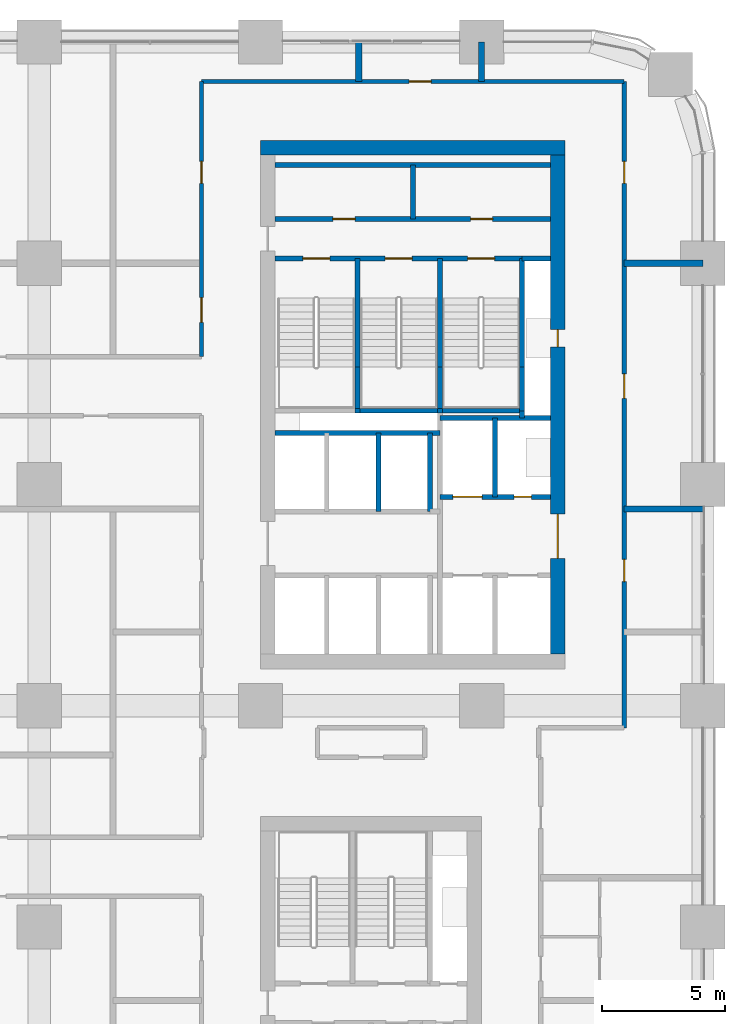
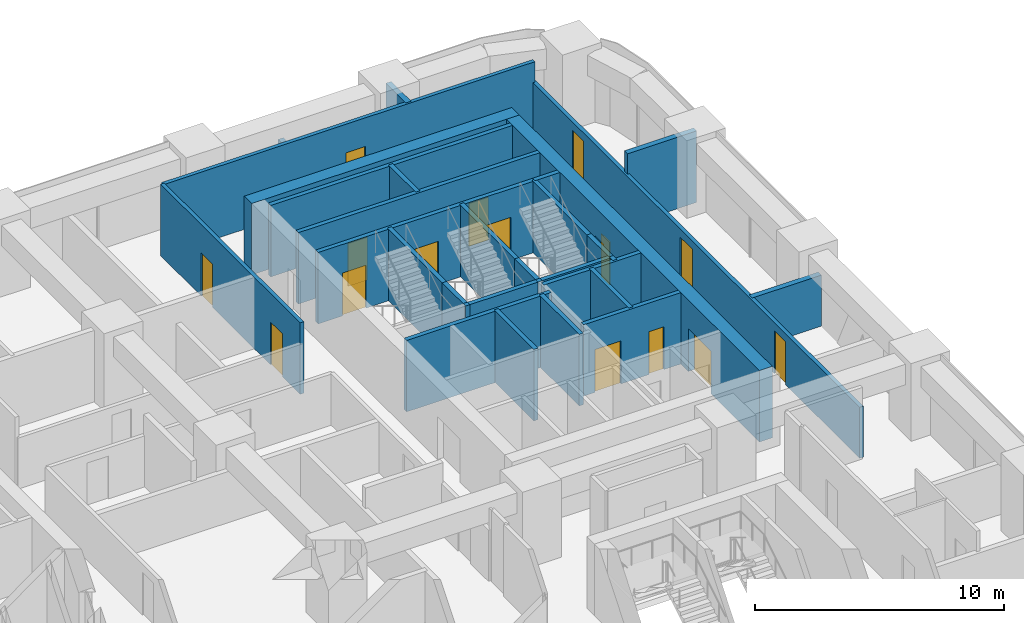
# One storey, part 18 of 21: 31 walls, 15 doors, 15 openings.
"""IFC4 building model written with IfcOpenShell, lengths in metres."""

from ifc_helpers import new_model, si_unit, direction, frame, frame_2d, origin, place, context, subcontext, project, spatial, rectangle, extrude, material, layer, layer_set, type_object, element, fill, save


model = new_model("IFC4")

# Units and contexts
model_context = context("Model", 3, precision=1e-05, world=origin(), true_north=direction((0.0, 1.0)))
body_context = subcontext(model_context, "Body", "Model", "MODEL_VIEW")
ifc_project = project(units=[si_unit("LENGTHUNIT", "METRE"), si_unit("AREAUNIT", "SQUARE_METRE"), si_unit("VOLUMEUNIT", "CUBIC_METRE"), si_unit("PLANEANGLEUNIT", "RADIAN"), si_unit("MASSUNIT", "GRAM", prefix="KILO")], contexts=[model_context])

# Site, building, storey
site_placement = place(None, origin())
site = spatial("IfcSite", under=ifc_project, at=site_placement, CompositionType="ELEMENT")
building_placement = place(site_placement, origin())
building = spatial("IfcBuilding", under=site, at=building_placement, Name="Tessera Arch", CompositionType="ELEMENT")
storey_placement = place(building_placement, frame((0.0, 0.0, 50.0)))
storey = spatial("IfcBuildingStorey", under=building, at=storey_placement, Name="L10", CompositionType="ELEMENT", Elevation=50.0)

# Wall
ifc_material_1 = material(Name="Gypsum board on steel stud", Category="steel")
ifc_layer_1 = layer(ifc_material_1, 0.125)
ifc_layer_set_1 = layer_set([ifc_layer_1], Name="Core partition 125 EI 60")
wall_type_1 = type_object("IfcWallType", Name="Core partition 125 EI 60", PredefinedType="PARTITIONING", material=ifc_layer_set_1)
wall_1_placement = place(storey_placement, frame((42.199951171875, 46.800048828125, 0.0), z_axis=(0.0, 0.0, 1.0), x_axis=(0.0, 1.0, 0.0)))
element("IfcWall", 1, at=wall_1_placement, inside=storey, type_object=wall_type_1, Name="L10 C1 partition wall 7", PredefinedType="PARTITIONING", context=body_context, shape_type="SweptSolid", body=[
    extrude(rectangle(XDim=2.199951171875, YDim=0.199951171875, at=frame_2d((1.10009765625, 0.0))), origin(), (0.0, 0.0, 1.0), 3.5),
])

# Wall, openings, doors
wall_2_placement = place(storey_placement, frame((36.60009765625, 46.800048828125, 0.0), z_axis=(0.0, 0.0, 1.0), x_axis=(1.0, 0.0, 0.0)))
wall_2 = element("IfcWall", 2, at=wall_2_placement, inside=storey, type_object=wall_type_1, Name="L10 C1 partition wall 31", PredefinedType="PARTITIONING", context=body_context, shape_type="SweptSolid", body=[
    extrude(rectangle(XDim=11.199951171875, YDim=0.199951171875, at=frame_2d((5.60009765625, 0.0))), origin(), (0.0, 0.0, 1.0), 3.5),
])
opening_1_placement = place(wall_2_placement, frame((2.35009765625, 0.0, 0.0)))
opening_1 = element("IfcOpeningElement", 3, at=opening_1_placement, cuts=wall_2, Name="Opening L10-C12", PredefinedType="OPENING", context=body_context, shape_type="SweptSolid", body=[
    extrude(rectangle(XDim=0.89990234375, YDim=2.10009765625, at=frame_2d((0.449951171875, 1.050048828125))), frame((0.0, 0.10986328125, 0.0), z_axis=(0.0, -1.0, 0.0), x_axis=(1.0, 0.0, 0.0)), (0.0, 0.0, 1.0), 0.219970703125),
])
opening_2_placement = place(wall_2_placement, frame((7.949951171875, 0.0, 0.0)))
opening_2 = element("IfcOpeningElement", 4, at=opening_2_placement, cuts=wall_2, Name="Opening L10-C13", PredefinedType="OPENING", context=body_context, shape_type="SweptSolid", body=[
    extrude(rectangle(XDim=0.89990234375, YDim=2.10009765625, at=frame_2d((0.449951171875, 1.050048828125))), frame((0.0, 0.10986328125, 0.0), z_axis=(0.0, -1.0, 0.0), x_axis=(1.0, 0.0, 0.0)), (0.0, 0.0, 1.0), 0.219970703125),
])
ifc_material_2 = material(Name="Steel door leaf", Category="steel")
door_type_1 = type_object("IfcDoorType", Name="Store door FD30S 900 x 2100", OperationType="SINGLE_SWING_LEFT", PredefinedType="DOOR", material=ifc_material_2)
door_1_placement = place(opening_1_placement, origin())
door_1 = element("IfcDoor", 5, at=door_1_placement, inside=storey, type_object=door_type_1, Name="L10 C1 door 12 C12 type D09", OperationType="SINGLE_SWING_LEFT", OverallHeight=2.10009765625, OverallWidth=0.89990234375, PredefinedType="DOOR", context=body_context, shape_type="SweptSolid", body=[
    extrude(rectangle(XDim=0.89990234375, YDim=2.10009765625, at=frame_2d((0.449951171875, 1.050048828125))), frame((0.0, 0.02490234375, 0.0), z_axis=(0.0, -1.0, 0.0), x_axis=(1.0, 0.0, 0.0)), (0.0, 0.0, 1.0), 0.050048828125),
])
fill(opening_1, door_1)
door_2_placement = place(opening_2_placement, origin())
door_2 = element("IfcDoor", 6, at=door_2_placement, inside=storey, type_object=door_type_1, Name="L10 C1 door 13 C13 type D09", OperationType="SINGLE_SWING_RIGHT", OverallHeight=2.10009765625, OverallWidth=0.89990234375, PredefinedType="DOOR", context=body_context, shape_type="SweptSolid", body=[
    extrude(rectangle(XDim=0.89990234375, YDim=2.10009765625, at=frame_2d((0.449951171875, 1.050048828125))), frame((0.0, 0.02490234375, 0.0), z_axis=(0.0, -1.0, 0.0), x_axis=(1.0, 0.0, 0.0)), (0.0, 0.0, 1.0), 0.050048828125),
])
fill(opening_2, door_2)

# Walls
wall_3_placement = place(storey_placement, frame((36.60009765625, 49.0, 0.0), z_axis=(0.0, 0.0, 1.0), x_axis=(1.0, 0.0, 0.0)))
element("IfcWall", 7, at=wall_3_placement, inside=storey, type_object=wall_type_1, Name="L10 C1 partition wall 32", PredefinedType="PARTITIONING", context=body_context, shape_type="SweptSolid", body=[
    extrude(rectangle(XDim=11.199951171875, YDim=0.199951171875, at=frame_2d((5.60009765625, 0.0))), origin(), (0.0, 0.0, 1.0), 3.5),
])
ifc_material_3 = material(Name="Concrete C70/85", Category="concrete")
ifc_layer_2 = layer(ifc_material_3, 0.60009765625)
ifc_layer_set_2 = layer_set([ifc_layer_2], Name="Core shell wall 600 C70-85")
wall_type_2 = type_object("IfcWallType", Name="Core shell wall 600 C70-85", PredefinedType="SHEAR", material=ifc_layer_set_2)
wall_4_placement = place(storey_placement, frame((36.0, 49.699951171875, 0.0), z_axis=(0.0, 0.0, 1.0), x_axis=(1.0, 0.0, 0.0)))
element("IfcWall", 8, at=wall_4_placement, inside=storey, type_object=wall_type_2, Name="L10 C1 core wall N", PredefinedType="SHEAR", context=body_context, shape_type="SweptSolid", body=[
    extrude(rectangle(XDim=12.39990234375, YDim=0.60009765625, at=frame_2d((6.199951171875, 0.0))), origin(), (0.0, 0.0, 1.0), 3.5),
])

# Wall, openings, doors
wall_5_placement = place(storey_placement, frame((48.10009765625, 29.10009765625, 0.0), z_axis=(0.0, 0.0, 1.0), x_axis=(0.0, 1.0, 0.0)))
wall_5 = element("IfcWall", 9, at=wall_5_placement, inside=storey, type_object=wall_type_2, Name="L10 C1 core wall E", PredefinedType="SHEAR", context=body_context, shape_type="SweptSolid", body=[
    extrude(rectangle(XDim=20.2998046875, YDim=0.60009765625, at=frame_2d((10.14990234375, 0.0))), origin(), (0.0, 0.0, 1.0), 3.5),
])
opening_3_placement = place(wall_5_placement, frame((12.5, 0.0, 0.0)))
opening_3 = element("IfcOpeningElement", 10, at=opening_3_placement, cuts=wall_5, Name="Opening L10-C08", PredefinedType="OPENING", context=body_context, shape_type="SweptSolid", body=[
    extrude(rectangle(XDim=0.699951171875, YDim=2.10009765625, at=frame_2d((0.35009765625, 1.050048828125))), frame((0.0, 0.31005859375, 0.0), z_axis=(0.0, -1.0, 0.0), x_axis=(1.0, 0.0, 0.0)), (0.0, 0.0, 1.0), 0.6201171875),
])
opening_4_placement = place(wall_5_placement, frame((3.89990234375, 0.0, 0.0)))
opening_4 = element("IfcOpeningElement", 11, at=opening_4_placement, cuts=wall_5, Name="Opening L10-C09", PredefinedType="OPENING", context=body_context, shape_type="SweptSolid", body=[
    extrude(rectangle(XDim=1.800048828125, YDim=2.10009765625, at=frame_2d((0.89990234375, 1.050048828125))), frame((0.0, 0.31005859375, 0.0), z_axis=(0.0, -1.0, 0.0), x_axis=(1.0, 0.0, 0.0)), (0.0, 0.0, 1.0), 0.6201171875),
])
ifc_material_4 = material(Name="Glazed steel door leaf", Category="steel")
door_type_2 = type_object("IfcDoorType", Name="Lobby double door FD60 1800 x 2100", OperationType="DOUBLE_DOOR_SINGLE_SWING", PredefinedType="DOOR", material=ifc_material_4)
door_3_placement = place(opening_4_placement, origin())
door_3 = element("IfcDoor", 12, at=door_3_placement, inside=storey, type_object=door_type_2, Name="L10 C1 door 9 C09 type D19", OperationType="DOUBLE_DOOR_SINGLE_SWING", OverallHeight=2.10009765625, OverallWidth=1.800048828125, PredefinedType="DOOR", context=body_context, shape_type="SweptSolid", body=[
    extrude(rectangle(XDim=1.800048828125, YDim=2.10009765625, at=frame_2d((0.89990234375, 1.050048828125))), frame((0.0, 0.02490234375, 0.0), z_axis=(0.0, -1.0, 0.0), x_axis=(1.0, 0.0, 0.0)), (0.0, 0.0, 1.0), 0.050048828125),
])
fill(opening_4, door_3)
ifc_material_5 = material(Name="Steel door leaf", Category="steel")
door_type_3 = type_object("IfcDoorType", Name="Service shaft door FD60 700 x 2100", OperationType="SINGLE_SWING_LEFT", PredefinedType="DOOR", material=ifc_material_5)
door_4_placement = place(opening_3_placement, origin())
door_4 = element("IfcDoor", 13, at=door_4_placement, inside=storey, type_object=door_type_3, Name="L10 C1 door 8 C08 type D07", OperationType="SINGLE_SWING_RIGHT", OverallHeight=2.10009765625, OverallWidth=0.699951171875, PredefinedType="DOOR", context=body_context, shape_type="SweptSolid", body=[
    extrude(rectangle(XDim=0.699951171875, YDim=2.10009765625, at=frame_2d((0.35009765625, 1.050048828125))), frame((0.0, 0.02490234375, 0.0), z_axis=(0.0, -1.0, 0.0), x_axis=(1.0, 0.0, 0.0)), (0.0, 0.0, 1.0), 0.050048828125),
])
fill(opening_3, door_4)

# Wall, opening, door
ifc_material_6 = material(Name="Gypsum board on deep steel stud with mineral wool", Category="steel")
ifc_layer_3 = layer(ifc_material_6, 0.175048828125)
ifc_layer_set_3 = layer_set([ifc_layer_3], Name="Corridor wall 175 EI 60")
wall_type_3 = type_object("IfcWallType", Name="Corridor wall 175 EI 60", PredefinedType="PARTITIONING", material=ifc_layer_set_3)
wall_6_placement = place(storey_placement, frame((33.60009765625, 52.39990234375, 0.0), z_axis=(0.0, 0.0, 1.0), x_axis=(1.0, 0.0, 0.0)))
wall_6 = element("IfcWall", 14, at=wall_6_placement, inside=storey, type_object=wall_type_3, Name="L10 partition 20", PredefinedType="PARTITIONING", context=body_context, shape_type="SweptSolid", body=[
    extrude(rectangle(XDim=17.199951171875, YDim=0.175048828125, at=frame_2d((8.60009765625, 0.0))), origin(), (0.0, 0.0, 1.0), 3.5),
])
opening_5_placement = place(wall_6_placement, frame((8.449951171875, 0.0, 0.0)))
opening_5 = element("IfcOpeningElement", 15, at=opening_5_placement, cuts=wall_6, Name="Opening L10-D043", PredefinedType="OPENING", context=body_context, shape_type="SweptSolid", body=[
    extrude(rectangle(XDim=0.89990234375, YDim=2.10009765625, at=frame_2d((0.449951171875, 1.050048828125))), frame((0.0, 0.097412109375, 0.0), z_axis=(0.0, -1.0, 0.0), x_axis=(1.0, 0.0, 0.0)), (0.0, 0.0, 1.0), 0.195068359375),
])
ifc_material_7 = material(Name="Timber door leaf", Category="wood")
door_type_4 = type_object("IfcDoorType", Name="Room door 900 x 2100", OperationType="SINGLE_SWING_LEFT", PredefinedType="DOOR", material=ifc_material_7)
door_5_placement = place(opening_5_placement, origin())
door_5 = element("IfcDoor", 16, at=door_5_placement, inside=storey, type_object=door_type_4, Name="L10 door D043 type D01", OperationType="SINGLE_SWING_LEFT", OverallHeight=2.10009765625, OverallWidth=0.89990234375, PredefinedType="DOOR", context=body_context, shape_type="SweptSolid", body=[
    extrude(rectangle(XDim=0.89990234375, YDim=2.10009765625, at=frame_2d((0.449951171875, 1.050048828125))), frame((0.0, 0.02490234375, 0.0), z_axis=(0.0, -1.0, 0.0), x_axis=(1.0, 0.0, 0.0)), (0.0, 0.0, 1.0), 0.050048828125),
])
fill(opening_5, door_5)

# Wall, openings, doors
wall_7_placement = place(storey_placement, frame((33.60009765625, 41.199951171875, 0.0), z_axis=(0.0, 0.0, 1.0), x_axis=(0.0, 1.0, 0.0)))
wall_7 = element("IfcWall", 17, at=wall_7_placement, inside=storey, type_object=wall_type_3, Name="L10 partition 34", PredefinedType="PARTITIONING", context=body_context, shape_type="SweptSolid", body=[
    extrude(rectangle(XDim=11.199951171875, YDim=0.175048828125, at=frame_2d((5.60009765625, 0.0))), origin(), (0.0, 0.0, 1.0), 3.5),
])
opening_6_placement = place(wall_7_placement, frame((1.39990234375, 0.0, 0.0)))
opening_6 = element("IfcOpeningElement", 18, at=opening_6_placement, cuts=wall_7, Name="Opening L10-D034", PredefinedType="OPENING", context=body_context, shape_type="SweptSolid", body=[
    extrude(rectangle(XDim=1.0, YDim=2.10009765625, at=frame_2d((0.5, 1.050048828125))), frame((0.0, 0.097412109375, 0.0), z_axis=(0.0, -1.0, 0.0), x_axis=(1.0, 0.0, 0.0)), (0.0, 0.0, 1.0), 0.195068359375),
])
opening_7_placement = place(wall_7_placement, frame((7.050048828125, 0.0, 0.0)))
opening_7 = element("IfcOpeningElement", 19, at=opening_7_placement, cuts=wall_7, Name="Opening L10-D040", PredefinedType="OPENING", context=body_context, shape_type="SweptSolid", body=[
    extrude(rectangle(XDim=0.89990234375, YDim=2.10009765625, at=frame_2d((0.449951171875, 1.050048828125))), frame((0.0, 0.097412109375, 0.0), z_axis=(0.0, -1.0, 0.0), x_axis=(1.0, 0.0, 0.0)), (0.0, 0.0, 1.0), 0.195068359375),
])
ifc_material_8 = material(Name="Fire-rated door leaf")
door_type_5 = type_object("IfcDoorType", Name="Entrance door FD30S 1000 x 2100", OperationType="SINGLE_SWING_LEFT", PredefinedType="DOOR", material=ifc_material_8)
door_6_placement = place(opening_6_placement, origin())
door_6 = element("IfcDoor", 20, at=door_6_placement, inside=storey, type_object=door_type_5, Name="L10 door D034 type D03", OperationType="SINGLE_SWING_RIGHT", OverallHeight=2.10009765625, OverallWidth=1.0, PredefinedType="DOOR", context=body_context, shape_type="SweptSolid", body=[
    extrude(rectangle(XDim=1.0, YDim=2.10009765625, at=frame_2d((0.5, 1.050048828125))), frame((0.0, 0.02490234375, 0.0), z_axis=(0.0, -1.0, 0.0), x_axis=(1.0, 0.0, 0.0)), (0.0, 0.0, 1.0), 0.050048828125),
])
fill(opening_6, door_6)
door_7_placement = place(opening_7_placement, origin())
door_7 = element("IfcDoor", 21, at=door_7_placement, inside=storey, type_object=door_type_4, Name="L10 door D040 type D01", OperationType="SINGLE_SWING_RIGHT", OverallHeight=2.10009765625, OverallWidth=0.89990234375, PredefinedType="DOOR", context=body_context, shape_type="SweptSolid", body=[
    extrude(rectangle(XDim=0.89990234375, YDim=2.10009765625, at=frame_2d((0.449951171875, 1.050048828125))), frame((0.0, 0.02490234375, 0.0), z_axis=(0.0, -1.0, 0.0), x_axis=(1.0, 0.0, 0.0)), (0.0, 0.0, 1.0), 0.050048828125),
])
fill(opening_7, door_7)

wall_8_placement = place(storey_placement, frame((50.800048828125, 26.10009765625, 0.0), z_axis=(0.0, 0.0, 1.0), x_axis=(0.0, 1.0, 0.0)))
wall_8 = element("IfcWall", 22, at=wall_8_placement, inside=storey, type_object=wall_type_3, Name="L10 partition 40", PredefinedType="PARTITIONING", context=body_context, shape_type="SweptSolid", body=[
    extrude(rectangle(XDim=26.2998046875, YDim=0.175048828125, at=frame_2d((13.14990234375, 0.0))), origin(), (0.0, 0.0, 1.0), 2.5),
])
opening_8_placement = place(wall_8_placement, frame((5.949951171875, 0.0, 0.0)))
opening_8 = element("IfcOpeningElement", 23, at=opening_8_placement, cuts=wall_8, Name="Opening L10-D028", PredefinedType="OPENING", context=body_context, shape_type="SweptSolid", body=[
    extrude(rectangle(XDim=0.89990234375, YDim=2.10009765625, at=frame_2d((0.449951171875, 1.050048828125))), frame((0.0, 0.097412109375, 0.0), z_axis=(0.0, -1.0, 0.0), x_axis=(1.0, 0.0, 0.0)), (0.0, 0.0, 1.0), 0.195068359375),
])
opening_9_placement = place(wall_8_placement, frame((13.39990234375, 0.0, 0.0)))
opening_9 = element("IfcOpeningElement", 24, at=opening_9_placement, cuts=wall_8, Name="Opening L10-D032", PredefinedType="OPENING", context=body_context, shape_type="SweptSolid", body=[
    extrude(rectangle(XDim=1.0, YDim=2.10009765625, at=frame_2d((0.5, 1.050048828125))), frame((0.0, 0.097412109375, 0.0), z_axis=(0.0, -1.0, 0.0), x_axis=(1.0, 0.0, 0.0)), (0.0, 0.0, 1.0), 0.195068359375),
])
opening_10_placement = place(wall_8_placement, frame((22.14990234375, 0.0, 0.0)))
opening_10 = element("IfcOpeningElement", 25, at=opening_10_placement, cuts=wall_8, Name="Opening L10-D039", PredefinedType="OPENING", context=body_context, shape_type="SweptSolid", body=[
    extrude(rectangle(XDim=0.89990234375, YDim=2.10009765625, at=frame_2d((0.449951171875, 1.050048828125))), frame((0.0, 0.097412109375, 0.0), z_axis=(0.0, -1.0, 0.0), x_axis=(1.0, 0.0, 0.0)), (0.0, 0.0, 1.0), 0.195068359375),
])
door_8_placement = place(opening_9_placement, origin())
door_8 = element("IfcDoor", 26, at=door_8_placement, inside=storey, type_object=door_type_5, Name="L10 door D032 type D03", OperationType="SINGLE_SWING_LEFT", OverallHeight=2.10009765625, OverallWidth=1.0, PredefinedType="DOOR", context=body_context, shape_type="SweptSolid", body=[
    extrude(rectangle(XDim=1.0, YDim=2.10009765625, at=frame_2d((0.5, 1.050048828125))), frame((0.0, 0.02490234375, 0.0), z_axis=(0.0, -1.0, 0.0), x_axis=(1.0, 0.0, 0.0)), (0.0, 0.0, 1.0), 0.050048828125),
])
fill(opening_9, door_8)
door_9_placement = place(opening_8_placement, origin())
door_9 = element("IfcDoor", 27, at=door_9_placement, inside=storey, type_object=door_type_4, Name="L10 door D028 type D01", OperationType="SINGLE_SWING_LEFT", OverallHeight=2.10009765625, OverallWidth=0.89990234375, PredefinedType="DOOR", context=body_context, shape_type="SweptSolid", body=[
    extrude(rectangle(XDim=0.89990234375, YDim=2.10009765625, at=frame_2d((0.449951171875, 1.050048828125))), frame((0.0, 0.02490234375, 0.0), z_axis=(0.0, -1.0, 0.0), x_axis=(1.0, 0.0, 0.0)), (0.0, 0.0, 1.0), 0.050048828125),
])
fill(opening_8, door_9)
door_10_placement = place(opening_10_placement, origin())
door_10 = element("IfcDoor", 28, at=door_10_placement, inside=storey, type_object=door_type_4, Name="L10 door D039 type D01", OperationType="SINGLE_SWING_RIGHT", OverallHeight=2.10009765625, OverallWidth=0.89990234375, PredefinedType="DOOR", context=body_context, shape_type="SweptSolid", body=[
    extrude(rectangle(XDim=0.89990234375, YDim=2.10009765625, at=frame_2d((0.449951171875, 1.050048828125))), frame((0.0, 0.02490234375, 0.0), z_axis=(0.0, -1.0, 0.0), x_axis=(1.0, 0.0, 0.0)), (0.0, 0.0, 1.0), 0.050048828125),
])
fill(opening_10, door_10)

# Walls
ifc_material_9 = material(Name="Double gypsum board on twin steel stud with acoustic mineral wool", Category="steel")
ifc_layer_4 = layer(ifc_material_9, 0.25)
ifc_layer_set_4 = layer_set([ifc_layer_4], Name="Party wall 250 EI 60")
wall_type_4 = type_object("IfcWallType", Name="Party wall 250 EI 60", PredefinedType="PARTITIONING", material=ifc_layer_set_4)
wall_9_placement = place(storey_placement, frame((50.800048828125, 35.0, 0.0), z_axis=(0.0, 0.0, 1.0), x_axis=(1.0, 0.0, 0.0)))
element("IfcWall", 29, at=wall_9_placement, inside=storey, type_object=wall_type_4, Name="L10 partition 59", PredefinedType="PARTITIONING", context=body_context, shape_type="SweptSolid", body=[
    extrude(rectangle(XDim=3.199951171875, YDim=0.25, at=frame_2d((1.60009765625, 0.0))), origin(), (0.0, 0.0, 1.0), 2.5),
])
wall_10_placement = place(storey_placement, frame((50.800048828125, 45.0, 0.0), z_axis=(0.0, 0.0, 1.0), x_axis=(1.0, 0.0, 0.0)))
element("IfcWall", 30, at=wall_10_placement, inside=storey, type_object=wall_type_4, Name="L10 partition 62", PredefinedType="PARTITIONING", context=body_context, shape_type="SweptSolid", body=[
    extrude(rectangle(XDim=3.199951171875, YDim=0.25, at=frame_2d((1.60009765625, 0.0))), origin(), (0.0, 0.0, 1.0), 3.5),
])
wall_11_placement = place(storey_placement, frame((40.0, 52.39990234375, 0.0), z_axis=(0.0, 0.0, 1.0), x_axis=(0.0, 1.0, 0.0)))
element("IfcWall", 31, at=wall_11_placement, inside=storey, type_object=wall_type_4, Name="L10 partition 73", PredefinedType="PARTITIONING", context=body_context, shape_type="SweptSolid", body=[
    extrude(rectangle(XDim=1.60009765625, YDim=0.25, at=frame_2d((0.800048828125, 0.0))), origin(), (0.0, 0.0, 1.0), 2.5),
])
wall_12_placement = place(storey_placement, frame((45.0, 52.39990234375, 0.0), z_axis=(0.0, 0.0, 1.0), x_axis=(0.0, 1.0, 0.0)))
element("IfcWall", 32, at=wall_12_placement, inside=storey, type_object=wall_type_4, Name="L10 partition 75", PredefinedType="PARTITIONING", context=body_context, shape_type="SweptSolid", body=[
    extrude(rectangle(XDim=1.60009765625, YDim=0.25, at=frame_2d((0.800048828125, 0.0))), origin(), (0.0, 0.0, 1.0), 3.5),
])
ifc_material_10 = material(Name="Concrete C40/50", Category="concrete")
ifc_layer_5 = layer(ifc_material_10, 0.199951171875)
ifc_layer_set_5 = layer_set([ifc_layer_5], Name="Shaft wall 200 EI 120")
wall_type_5 = type_object("IfcWallType", Name="Shaft wall 200 EI 120", PredefinedType="SOLIDWALL", material=ifc_layer_set_5)
for number, where, z_axis, x_axis, name in (
    (33, (40.800048828125, 34.89990234375, 0.0), (0.0, 0.0, 1.0), (0.0, 1.0, 0.0), "L10 C1 shaft wall 6"),
    (34, (42.89990234375, 34.89990234375, 0.0), (0.0, 0.0, 1.0), (0.0, 1.0, 0.0), "L10 C1 shaft wall 9"),
):
    element("IfcWall", number, at=place(storey_placement, frame(where, z_axis=z_axis, x_axis=x_axis)), inside=storey, type_object=wall_type_5, Name=name, PredefinedType="SOLIDWALL", context=body_context, shape_type="SweptSolid", body=[
        extrude(rectangle(XDim=3.2001953125, YDim=0.199951171875, at=frame_2d((1.60009765625, 0.0))), origin(), (0.0, 0.0, 1.0), 3.5),
    ])
wall_13_placement = place(storey_placement, frame((45.550048828125, 35.5, 0.0), z_axis=(0.0, 0.0, 1.0), x_axis=(0.0, 1.0, 0.0)))
element("IfcWall", 35, at=wall_13_placement, inside=storey, type_object=wall_type_5, Name="L10 C1 shaft wall 14", PredefinedType="SOLIDWALL", context=body_context, shape_type="SweptSolid", body=[
    extrude(rectangle(XDim=3.199951171875, YDim=0.199951171875, at=frame_2d((1.60009765625, 0.0))), origin(), (0.0, 0.0, 1.0), 3.5),
])
wall_14_placement = place(storey_placement, frame((46.64990234375, 38.699951171875, 0.0), z_axis=(0.0, 0.0, 1.0), x_axis=(0.0, 1.0, 0.0)))
element("IfcWall", 36, at=wall_14_placement, inside=storey, type_object=wall_type_5, Name="L10 C1 shaft wall 15", PredefinedType="SOLIDWALL", context=body_context, shape_type="SweptSolid", body=[
    extrude(rectangle(XDim=0.300048828125, YDim=0.199951171875, at=frame_2d((0.14990234375, 0.0))), origin(), (0.0, 0.0, 1.0), 3.5),
])

# Wall, openings, doors
wall_15_placement = place(storey_placement, frame((43.300048828125, 35.5, 0.0), z_axis=(0.0, 0.0, 1.0), x_axis=(1.0, 0.0, 0.0)))
wall_15 = element("IfcWall", 37, at=wall_15_placement, inside=storey, type_object=wall_type_5, Name="L10 C1 shaft wall 21", PredefinedType="SOLIDWALL", context=body_context, shape_type="SweptSolid", body=[
    extrude(rectangle(XDim=4.5, YDim=0.199951171875, at=frame_2d((2.25, 0.0))), origin(), (0.0, 0.0, 1.0), 3.5),
])
opening_11_placement = place(wall_15_placement, frame((0.52490234375, 0.0, 0.0)))
opening_11 = element("IfcOpeningElement", 38, at=opening_11_placement, cuts=wall_15, Name="Opening L10-C03", PredefinedType="OPENING", context=body_context, shape_type="SweptSolid", body=[
    extrude(rectangle(XDim=1.199951171875, YDim=2.10009765625, at=frame_2d((0.60009765625, 1.050048828125))), frame((0.0, 0.10986328125, 0.0), z_axis=(0.0, -1.0, 0.0), x_axis=(1.0, 0.0, 0.0)), (0.0, 0.0, 1.0), 0.219970703125),
])
opening_12_placement = place(wall_15_placement, frame((3.02490234375, 0.0, 0.0)))
opening_12 = element("IfcOpeningElement", 39, at=opening_12_placement, cuts=wall_15, Name="Opening L10-C10", PredefinedType="OPENING", context=body_context, shape_type="SweptSolid", body=[
    extrude(rectangle(XDim=0.699951171875, YDim=2.10009765625, at=frame_2d((0.35009765625, 1.050048828125))), frame((0.0, 0.10986328125, 0.0), z_axis=(0.0, -1.0, 0.0), x_axis=(1.0, 0.0, 0.0)), (0.0, 0.0, 1.0), 0.219970703125),
])
door_11_placement = place(opening_12_placement, origin())
door_11 = element("IfcDoor", 40, at=door_11_placement, inside=storey, type_object=door_type_3, Name="L10 C1 door 10 C10 type D07", OperationType="SINGLE_SWING_RIGHT", OverallHeight=2.10009765625, OverallWidth=0.699951171875, PredefinedType="DOOR", context=body_context, shape_type="SweptSolid", body=[
    extrude(rectangle(XDim=0.699951171875, YDim=2.10009765625, at=frame_2d((0.35009765625, 1.050048828125))), frame((0.0, 0.02490234375, 0.0), z_axis=(0.0, -1.0, 0.0), x_axis=(1.0, 0.0, 0.0)), (0.0, 0.0, 1.0), 0.050048828125),
])
fill(opening_12, door_11)
ifc_material_11 = material(Name="Stainless steel AISI 304", Category="steel")
door_type_6 = type_object("IfcDoorType", Name="Sliding landing door 1200 x 2100", OperationType="SLIDING_TO_LEFT", PredefinedType="DOOR", material=ifc_material_11)
door_12_placement = place(opening_11_placement, origin())
door_12 = element("IfcDoor", 41, at=door_12_placement, inside=storey, type_object=door_type_6, Name="L10 SV2 lift landing door C03 type LD", OperationType="SLIDING_TO_LEFT", OverallHeight=2.10009765625, OverallWidth=1.199951171875, PredefinedType="DOOR", context=body_context, shape_type="SweptSolid", body=[
    extrude(rectangle(XDim=1.199951171875, YDim=2.10009765625, at=frame_2d((0.60009765625, 1.050048828125))), frame((0.0, 0.02490234375, 0.0), z_axis=(0.0, -1.0, 0.0), x_axis=(1.0, 0.0, 0.0)), (0.0, 0.0, 1.0), 0.050048828125),
])
fill(opening_11, door_12)

# Walls
wall_16_placement = place(storey_placement, frame((36.60009765625, 38.10009765625, 0.0), z_axis=(0.0, 0.0, 1.0), x_axis=(1.0, 0.0, 0.0)))
element("IfcWall", 42, at=wall_16_placement, inside=storey, type_object=wall_type_5, Name="L10 C1 shaft wall 22", PredefinedType="SOLIDWALL", context=body_context, shape_type="SweptSolid", body=[
    extrude(rectangle(XDim=6.699951171875, YDim=0.199951171875, at=frame_2d((3.35009765625, 0.0))), origin(), (0.0, 0.0, 1.0), 3.5),
])
wall_17_placement = place(storey_placement, frame((43.300048828125, 38.699951171875, 0.0), z_axis=(0.0, 0.0, 1.0), x_axis=(1.0, 0.0, 0.0)))
element("IfcWall", 43, at=wall_17_placement, inside=storey, type_object=wall_type_5, Name="L10 C1 shaft wall 23", PredefinedType="SOLIDWALL", context=body_context, shape_type="SweptSolid", body=[
    extrude(rectangle(XDim=4.5, YDim=0.199951171875, at=frame_2d((2.25, 0.0))), origin(), (0.0, 0.0, 1.0), 3.5),
])
wall_18_placement = place(storey_placement, frame((46.64990234375, 45.199951171875, 0.0), z_axis=(0.0, 0.0, 1.0), x_axis=(1.0, 0.0, 0.0)))
element("IfcWall", 44, at=wall_18_placement, inside=storey, type_object=wall_type_5, Name="L10 C1 shaft wall 29", PredefinedType="SOLIDWALL", context=body_context, shape_type="SweptSolid", body=[
    extrude(rectangle(XDim=1.150146484375, YDim=0.199951171875, at=frame_2d((0.5751953125, 0.0))), origin(), (0.0, 0.0, 1.0), 3.5),
])
ifc_material_12 = material(Name="Concrete C40/50", Category="concrete")
ifc_layer_6 = layer(ifc_material_12, 0.199951171875)
ifc_layer_set_6 = layer_set([ifc_layer_6], Name="Stair well wall 200 REI 180")
wall_type_6 = type_object("IfcWallType", Name="Stair well wall 200 REI 180", PredefinedType="SOLIDWALL", material=ifc_layer_set_6)
wall_19_placement = place(storey_placement, frame((39.949951171875, 39.0, 0.0), z_axis=(0.0, 0.0, 1.0), x_axis=(0.0, 1.0, 0.0)))
element("IfcWall", 45, at=wall_19_placement, inside=storey, type_object=wall_type_6, Name="L10 C1 shaft wall 3", PredefinedType="SOLIDWALL", context=body_context, shape_type="SweptSolid", body=[
    extrude(rectangle(XDim=1.780029296875, YDim=0.199951171875, at=frame_2d((0.89013671875, 0.0))), origin(), (0.0, 0.0, 1.0), 3.5),
])
wall_20_placement = place(storey_placement, frame((39.949951171875, 40.780029296875, 0.0), z_axis=(0.0, 0.0, 1.0), x_axis=(0.0, 1.0, 0.0)))
element("IfcWall", 46, at=wall_20_placement, inside=storey, type_object=wall_type_6, Name="L10 C1 shaft wall 4", PredefinedType="SOLIDWALL", context=body_context, shape_type="SweptSolid", body=[
    extrude(rectangle(XDim=4.419921875, YDim=0.199951171875, at=frame_2d((2.2099609375, 0.0))), origin(), (0.0, 0.0, 1.0), 3.5),
])
wall_21_placement = place(storey_placement, frame((43.300048828125, 39.0, 0.0), z_axis=(0.0, 0.0, 1.0), x_axis=(0.0, 1.0, 0.0)))
element("IfcWall", 47, at=wall_21_placement, inside=storey, type_object=wall_type_6, Name="L10 C1 shaft wall 11", PredefinedType="SOLIDWALL", context=body_context, shape_type="SweptSolid", body=[
    extrude(rectangle(XDim=1.780029296875, YDim=0.199951171875, at=frame_2d((0.89013671875, 0.0))), origin(), (0.0, 0.0, 1.0), 3.5),
])
wall_22_placement = place(storey_placement, frame((43.300048828125, 40.780029296875, 0.0), z_axis=(0.0, 0.0, 1.0), x_axis=(0.0, 1.0, 0.0)))
element("IfcWall", 48, at=wall_22_placement, inside=storey, type_object=wall_type_6, Name="L10 C1 shaft wall 12", PredefinedType="SOLIDWALL", context=body_context, shape_type="SweptSolid", body=[
    extrude(rectangle(XDim=4.419921875, YDim=0.199951171875, at=frame_2d((2.2099609375, 0.0))), origin(), (0.0, 0.0, 1.0), 3.5),
])
wall_23_placement = place(storey_placement, frame((46.64990234375, 39.0, 0.0), z_axis=(0.0, 0.0, 1.0), x_axis=(0.0, 1.0, 0.0)))
element("IfcWall", 49, at=wall_23_placement, inside=storey, type_object=wall_type_6, Name="L10 C1 shaft wall 16", PredefinedType="SOLIDWALL", context=body_context, shape_type="SweptSolid", body=[
    extrude(rectangle(XDim=1.780029296875, YDim=0.199951171875, at=frame_2d((0.89013671875, 0.0))), origin(), (0.0, 0.0, 1.0), 3.5),
])
wall_24_placement = place(storey_placement, frame((46.64990234375, 40.780029296875, 0.0), z_axis=(0.0, 0.0, 1.0), x_axis=(0.0, 1.0, 0.0)))
element("IfcWall", 50, at=wall_24_placement, inside=storey, type_object=wall_type_6, Name="L10 C1 shaft wall 17", PredefinedType="SOLIDWALL", context=body_context, shape_type="SweptSolid", body=[
    extrude(rectangle(XDim=4.419921875, YDim=0.199951171875, at=frame_2d((2.2099609375, 0.0))), origin(), (0.0, 0.0, 1.0), 3.5),
])
wall_25_placement = place(storey_placement, frame((39.85009765625, 39.0, 0.0), z_axis=(0.0, 0.0, 1.0), x_axis=(1.0, 0.0, 0.0)))
element("IfcWall", 51, at=wall_25_placement, inside=storey, type_object=wall_type_6, Name="L10 C1 shaft wall 25", PredefinedType="SOLIDWALL", context=body_context, shape_type="SweptSolid", body=[
    extrude(rectangle(XDim=0.199951171875, YDim=0.199951171875, at=frame_2d((0.10009765625, 0.0))), origin(), (0.0, 0.0, 1.0), 3.5),
])
wall_26_placement = place(storey_placement, frame((40.050048828125, 39.0, 0.0), z_axis=(0.0, 0.0, 1.0), x_axis=(1.0, 0.0, 0.0)))
element("IfcWall", 52, at=wall_26_placement, inside=storey, type_object=wall_type_6, Name="L10 C1 shaft wall 26", PredefinedType="SOLIDWALL", context=body_context, shape_type="SweptSolid", body=[
    extrude(rectangle(XDim=3.14990234375, YDim=0.199951171875, at=frame_2d((1.574951171875, 0.0))), origin(), (0.0, 0.0, 1.0), 3.5),
])
wall_27_placement = place(storey_placement, frame((43.199951171875, 39.0, 0.0), z_axis=(0.0, 0.0, 1.0), x_axis=(1.0, 0.0, 0.0)))
element("IfcWall", 53, at=wall_27_placement, inside=storey, type_object=wall_type_6, Name="L10 C1 shaft wall 27", PredefinedType="SOLIDWALL", context=body_context, shape_type="SweptSolid", body=[
    extrude(rectangle(XDim=0.199951171875, YDim=0.199951171875, at=frame_2d((0.10009765625, 0.0))), origin(), (0.0, 0.0, 1.0), 3.5),
])
wall_28_placement = place(storey_placement, frame((43.39990234375, 39.0, 0.0), z_axis=(0.0, 0.0, 1.0), x_axis=(1.0, 0.0, 0.0)))
element("IfcWall", 54, at=wall_28_placement, inside=storey, type_object=wall_type_6, Name="L10 C1 shaft wall 28", PredefinedType="SOLIDWALL", context=body_context, shape_type="SweptSolid", body=[
    extrude(rectangle(XDim=3.25, YDim=0.199951171875, at=frame_2d((1.625, 0.0))), origin(), (0.0, 0.0, 1.0), 3.5),
])

# Wall, openings, doors
wall_29_placement = place(storey_placement, frame((36.60009765625, 45.199951171875, 0.0), z_axis=(0.0, 0.0, 1.0), x_axis=(1.0, 0.0, 0.0)))
wall_29 = element("IfcWall", 55, at=wall_29_placement, inside=storey, type_object=wall_type_6, Name="L10 C1 shaft wall 30", PredefinedType="SOLIDWALL", context=body_context, shape_type="SweptSolid", body=[
    extrude(rectangle(XDim=10.0498046875, YDim=0.199951171875, at=frame_2d((5.02490234375, 0.0))), origin(), (0.0, 0.0, 1.0), 3.5),
])
opening_13_placement = place(wall_29_placement, frame((1.125, 0.0, 0.0)))
opening_13 = element("IfcOpeningElement", 56, at=opening_13_placement, cuts=wall_29, Name="Opening L10-C05", PredefinedType="OPENING", context=body_context, shape_type="SweptSolid", body=[
    extrude(rectangle(XDim=1.10009765625, YDim=2.10009765625, at=frame_2d((0.550048828125, 1.050048828125))), frame((0.0, 0.10986328125, 0.0), z_axis=(0.0, -1.0, 0.0), x_axis=(1.0, 0.0, 0.0)), (0.0, 0.0, 1.0), 0.219970703125),
])
opening_14_placement = place(wall_29_placement, frame((4.47509765625, 0.0, 0.0)))
opening_14 = element("IfcOpeningElement", 57, at=opening_14_placement, cuts=wall_29, Name="Opening L10-C06", PredefinedType="OPENING", context=body_context, shape_type="SweptSolid", body=[
    extrude(rectangle(XDim=1.10009765625, YDim=2.10009765625, at=frame_2d((0.550048828125, 1.050048828125))), frame((0.0, 0.10986328125, 0.0), z_axis=(0.0, -1.0, 0.0), x_axis=(1.0, 0.0, 0.0)), (0.0, 0.0, 1.0), 0.219970703125),
])
opening_15_placement = place(wall_29_placement, frame((7.824951171875, 0.0, 0.0)))
opening_15 = element("IfcOpeningElement", 58, at=opening_15_placement, cuts=wall_29, Name="Opening L10-C07", PredefinedType="OPENING", context=body_context, shape_type="SweptSolid", body=[
    extrude(rectangle(XDim=1.10009765625, YDim=2.10009765625, at=frame_2d((0.550048828125, 1.050048828125))), frame((0.0, 0.10986328125, 0.0), z_axis=(0.0, -1.0, 0.0), x_axis=(1.0, 0.0, 0.0)), (0.0, 0.0, 1.0), 0.219970703125),
])
ifc_material_13 = material(Name="Steel door leaf", Category="steel")
door_type_7 = type_object("IfcDoorType", Name="Stair door FD60 1100 x 2100", OperationType="SINGLE_SWING_LEFT", PredefinedType="DOOR", material=ifc_material_13)
door_13_placement = place(opening_13_placement, origin())
door_13 = element("IfcDoor", 59, at=door_13_placement, inside=storey, type_object=door_type_7, Name="L10 C1 door 5 C05 type D05", OperationType="SINGLE_SWING_LEFT", OverallHeight=2.10009765625, OverallWidth=1.10009765625, PredefinedType="DOOR", context=body_context, shape_type="SweptSolid", body=[
    extrude(rectangle(XDim=1.10009765625, YDim=2.10009765625, at=frame_2d((0.550048828125, 1.050048828125))), frame((0.0, 0.02490234375, 0.0), z_axis=(0.0, -1.0, 0.0), x_axis=(1.0, 0.0, 0.0)), (0.0, 0.0, 1.0), 0.050048828125),
])
fill(opening_13, door_13)
door_14_placement = place(opening_14_placement, origin())
door_14 = element("IfcDoor", 60, at=door_14_placement, inside=storey, type_object=door_type_7, Name="L10 C1 door 6 C06 type D05", OperationType="SINGLE_SWING_RIGHT", OverallHeight=2.10009765625, OverallWidth=1.10009765625, PredefinedType="DOOR", context=body_context, shape_type="SweptSolid", body=[
    extrude(rectangle(XDim=1.10009765625, YDim=2.10009765625, at=frame_2d((0.550048828125, 1.050048828125))), frame((0.0, 0.02490234375, 0.0), z_axis=(0.0, -1.0, 0.0), x_axis=(1.0, 0.0, 0.0)), (0.0, 0.0, 1.0), 0.050048828125),
])
fill(opening_14, door_14)
door_15_placement = place(opening_15_placement, origin())
door_15 = element("IfcDoor", 61, at=door_15_placement, inside=storey, type_object=door_type_7, Name="L10 C1 door 7 C07 type D05", OperationType="SINGLE_SWING_RIGHT", OverallHeight=2.10009765625, OverallWidth=1.10009765625, PredefinedType="DOOR", context=body_context, shape_type="SweptSolid", body=[
    extrude(rectangle(XDim=1.10009765625, YDim=2.10009765625, at=frame_2d((0.550048828125, 1.050048828125))), frame((0.0, 0.02490234375, 0.0), z_axis=(0.0, -1.0, 0.0), x_axis=(1.0, 0.0, 0.0)), (0.0, 0.0, 1.0), 0.050048828125),
])
fill(opening_15, door_15)

save(model, "model.ifc")
